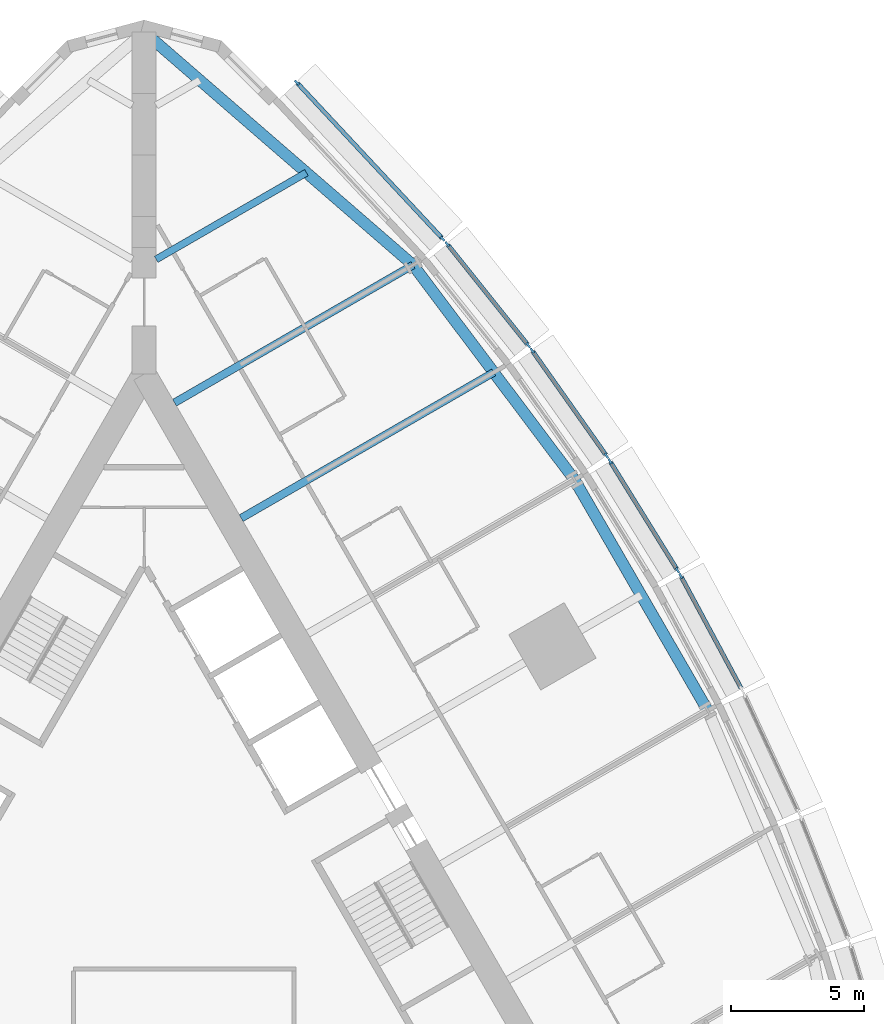
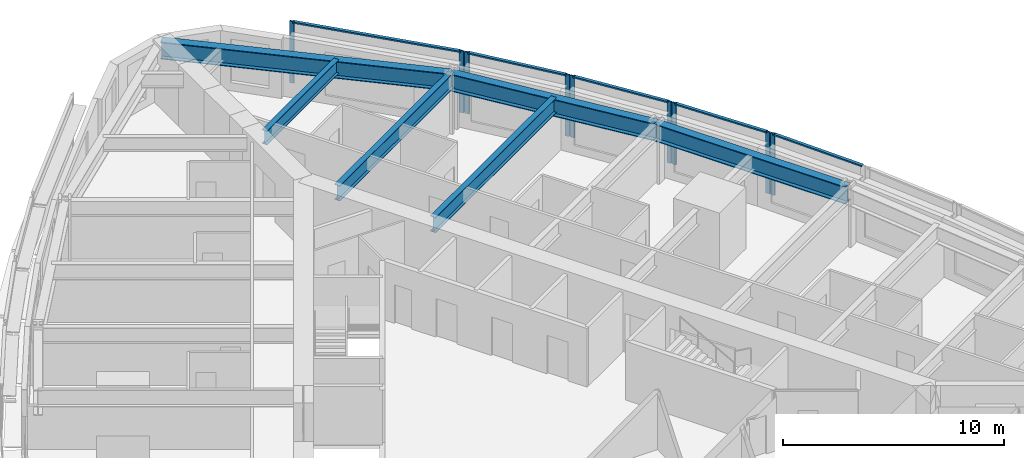
# One storey, part 5 of 14: 14 members, 6 beams, 5 elements without a shape of their own.
"""IFC4 building model written with IfcOpenShell, lengths in metres."""

from ifc_helpers import new_model, si_unit, direction, frame, origin, origin_2d, place, context, subcontext, project, spatial, rectangle, i_section, extrude, material, material_profile, profile_set, type_object, element, aggregate, save


model = new_model("IFC4")

# Units and contexts
model_context = context("Model", 3, precision=1e-05, world=origin(), true_north=direction((0.0, 1.0)))
body_context = subcontext(model_context, "Body", "Model", "MODEL_VIEW")
ifc_project = project(units=[si_unit("LENGTHUNIT", "METRE"), si_unit("AREAUNIT", "SQUARE_METRE"), si_unit("VOLUMEUNIT", "CUBIC_METRE"), si_unit("PLANEANGLEUNIT", "RADIAN"), si_unit("MASSUNIT", "GRAM", prefix="KILO")], contexts=[model_context])

# Site, building, storey
site_placement = place(None, origin())
site = spatial("IfcSite", under=ifc_project, at=site_placement, CompositionType="ELEMENT")
building_placement = place(site_placement, origin())
building = spatial("IfcBuilding", under=site, at=building_placement, Name="Trikona Tower", CompositionType="ELEMENT")
storey_placement = place(building_placement, frame((0.0, 0.0, 38.699951171875)))
storey = spatial("IfcBuildingStorey", under=building, at=storey_placement, Name="L08", CompositionType="ELEMENT", Elevation=38.699951171875)

# Curtain wall, member
ifc_material_1 = material(Name="Aluminium curtain wall system", Category="aluminium")
curtain_wall_type = type_object("IfcCurtainWallType", Name="Curtain wall DS1", PredefinedType="NOTDEFINED", material=ifc_material_1)
curtain_wall_1_placement = place(storey_placement, origin())
curtain_wall_1 = element("IfcCurtainWall", 1, at=curtain_wall_1_placement, inside=storey, type_object=curtain_wall_type, Name="Curtain wall DS1 L08", PredefinedType="NOTDEFINED")
ifc_material_2 = material(Name="Aluminium mullion, pale anodised", Category="aluminium")
ifc_material_profile_1 = material_profile(ifc_material_2, rectangle(XDim=0.080078125, YDim=0.219970703125, at=origin_2d()), Name="MUL-DS1")
ifc_profile_set_1 = profile_set([ifc_material_profile_1], Name="Aluminium mullion, pale anodised")
member_type_1 = type_object("IfcMemberType", Name="Mullion DS1 80x220", PredefinedType="MULLION", material=ifc_profile_set_1)
member_1_placement = place(storey_placement, frame((20.128662109375, 11.474365234375, 0.0), z_axis=(0.0, 0.0, 1.0), x_axis=(-0.880843080975, -0.473408350896, 0.0)))
member_1 = element("IfcMember", 2, at=member_1_placement, type_object=member_type_1, Name="CW-DS1 mullion 2", PredefinedType="MULLION", context=body_context, shape_type="SweptSolid", body=[
    extrude(rectangle(XDim=0.080078125, YDim=0.219970703125, at=origin_2d()), origin(), (0.0, 0.0, 1.0), 3.400146484375),
])

# Curtain wall, members
curtain_wall_2_placement = place(storey_placement, origin())
curtain_wall_2 = element("IfcCurtainWall", 3, at=curtain_wall_2_placement, inside=storey, type_object=curtain_wall_type, Name="Curtain wall DS1 L08", PredefinedType="NOTDEFINED")
member_2_placement = place(storey_placement, frame((20.00146484375, 11.69482421875, 0.0), z_axis=(0.0, 0.0, 1.0), x_axis=(-0.850410468941, -0.526119790842, 0.0)))
member_2 = element("IfcMember", 4, at=member_2_placement, type_object=member_type_1, Name="CW-DS1 mullion 1", PredefinedType="MULLION", context=body_context, shape_type="SweptSolid", body=[
    extrude(rectangle(XDim=0.080078125, YDim=0.219970703125, at=origin_2d()), origin(), (0.0, 0.0, 1.0), 3.400146484375),
])
member_3_placement = place(storey_placement, frame((17.474853515625, 15.77880859375, 0.0), z_axis=(0.0, 0.0, 1.0), x_axis=(-0.850410468941, -0.526119790842, 0.0)))
member_3 = element("IfcMember", 5, at=member_3_placement, type_object=member_type_1, Name="CW-DS1 mullion 2", PredefinedType="MULLION", context=body_context, shape_type="SweptSolid", body=[
    extrude(rectangle(XDim=0.080078125, YDim=0.219970703125, at=origin_2d()), origin(), (0.0, 0.0, 1.0), 3.400146484375),
])

curtain_wall_3_placement = place(storey_placement, origin())
curtain_wall_3 = element("IfcCurtainWall", 6, at=curtain_wall_3_placement, inside=storey, type_object=curtain_wall_type, Name="Curtain wall DS1 L08", PredefinedType="NOTDEFINED")
member_4_placement = place(storey_placement, frame((17.33447265625, 15.990966796875, 0.0), z_axis=(0.0, 0.0, 1.0), x_axis=(-0.816985393055, -0.576658362928, 0.0)))
member_4 = element("IfcMember", 7, at=member_4_placement, type_object=member_type_1, Name="CW-DS1 mullion 1", PredefinedType="MULLION", context=body_context, shape_type="SweptSolid", body=[
    extrude(rectangle(XDim=0.080078125, YDim=0.219970703125, at=origin_2d()), origin(), (0.0, 0.0, 1.0), 3.400146484375),
])
member_5_placement = place(storey_placement, frame((14.554443359375, 19.929443359375, 0.0), z_axis=(0.0, 0.0, 1.0), x_axis=(-0.816985393055, -0.576658362928, 0.0)))
member_5 = element("IfcMember", 8, at=member_5_placement, type_object=member_type_1, Name="CW-DS1 mullion 2", PredefinedType="MULLION", context=body_context, shape_type="SweptSolid", body=[
    extrude(rectangle(XDim=0.080078125, YDim=0.219970703125, at=origin_2d()), origin(), (0.0, 0.0, 1.0), 3.400146484375),
])

curtain_wall_4_placement = place(storey_placement, origin())
curtain_wall_4 = element("IfcCurtainWall", 9, at=curtain_wall_4_placement, inside=storey, type_object=curtain_wall_type, Name="Curtain wall DS1 L08", PredefinedType="NOTDEFINED")
member_6_placement = place(storey_placement, frame((14.40185546875, 20.13232421875, 0.0), z_axis=(0.0, 0.0, 1.0), x_axis=(-0.780937959679, -0.624608599951, 0.0)))
member_6 = element("IfcMember", 10, at=member_6_placement, type_object=member_type_1, Name="CW-DS1 mullion 1", PredefinedType="MULLION", context=body_context, shape_type="SweptSolid", body=[
    extrude(rectangle(XDim=0.080078125, YDim=0.219970703125, at=origin_2d()), origin(), (0.0, 0.0, 1.0), 3.400146484375),
])
member_7_placement = place(storey_placement, frame((11.36767578125, 23.926025390625, 0.0), z_axis=(0.0, 0.0, 1.0), x_axis=(-0.780937959679, -0.624608599951, 0.0)))
member_7 = element("IfcMember", 11, at=member_7_placement, type_object=member_type_1, Name="CW-DS1 mullion 2", PredefinedType="MULLION", context=body_context, shape_type="SweptSolid", body=[
    extrude(rectangle(XDim=0.080078125, YDim=0.219970703125, at=origin_2d()), origin(), (0.0, 0.0, 1.0), 3.400146484375),
])

curtain_wall_5_placement = place(storey_placement, origin())
curtain_wall_5 = element("IfcCurtainWall", 12, at=curtain_wall_5_placement, inside=storey, type_object=curtain_wall_type, Name="Curtain wall DS1 L08", PredefinedType="NOTDEFINED")
member_8_placement = place(storey_placement, frame((11.192138671875, 24.129150390625, 0.0), z_axis=(0.0, 0.0, 1.0), x_axis=(-0.731076639405, -0.682295351967, 0.0)))
member_8 = element("IfcMember", 13, at=member_8_placement, type_object=member_type_1, Name="CW-DS1 mullion 1", PredefinedType="MULLION", context=body_context, shape_type="SweptSolid", body=[
    extrude(rectangle(XDim=0.080078125, YDim=0.219970703125, at=origin_2d()), origin(), (0.0, 0.0, 1.0), 3.400146484375),
])
member_9_placement = place(storey_placement, frame((5.72607421875, 29.98583984375, 0.0), z_axis=(0.0, 0.0, 1.0), x_axis=(-0.731076639405, -0.682295351967, 0.0)))
member_9 = element("IfcMember", 14, at=member_9_placement, type_object=member_type_1, Name="CW-DS1 mullion 2", PredefinedType="MULLION", context=body_context, shape_type="SweptSolid", body=[
    extrude(rectangle(XDim=0.080078125, YDim=0.219970703125, at=origin_2d()), origin(), (0.0, 0.0, 1.0), 3.400146484375),
])

# Beams
ifc_material_3 = material(Name="Steel ASTM A992 Grade 50", Category="steel")
ifc_material_profile_2 = material_profile(ifc_material_3, i_section(OverallWidth=0.2666015625, OverallDepth=0.76953125, WebThickness=0.015625, FlangeThickness=0.025390625, at=origin_2d()), Name="W30X132")
ifc_profile_set_2 = profile_set([ifc_material_profile_2], Name="Steel ASTM A992 Grade 50")
beam_type_1 = type_object("IfcBeamType", Name="Steel beam W30x132 (wedge)", PredefinedType="BEAM", material=ifc_profile_set_2)
beam_1_placement = place(storey_placement, frame((0.449951171875, 23.353759765625, 2.850341796875), z_axis=(0.866022504693, 0.50000502134, 0.0), x_axis=(-0.50000502134, 0.866022504693, 0.0)))
element("IfcBeam", 15, at=beam_1_placement, inside=storey, type_object=beam_type_1, Name="Floor beam L09 F2 u20", PredefinedType="BEAM", context=body_context, shape_type="SweptSolid", body=[
    extrude(i_section(OverallWidth=0.2666015625, OverallDepth=0.76953125, WebThickness=0.015625, FlangeThickness=0.025390625, at=origin_2d()), origin(), (0.0, 0.0, 1.0), 6.5068359375),
])
ifc_material_4 = material(Name="Steel ASTM A992 Grade 50", Category="steel")
ifc_material_profile_3 = material_profile(ifc_material_4, i_section(OverallWidth=0.2919921875, OverallDepth=0.845703125, WebThickness=0.015380859375, FlangeThickness=0.0244140625, at=origin_2d()), Name="W33X141")
ifc_profile_set_3 = profile_set([ifc_material_profile_3], Name="Steel ASTM A992 Grade 50")
beam_type_2 = type_object("IfcBeamType", Name="Steel beam W33x141 (radial typ)", PredefinedType="BEAM", material=ifc_profile_set_3)
beam_2_placement = place(storey_placement, frame((3.6396484375, 13.6484375, 2.812255859375), z_axis=(0.866025348605, 0.500000095573, 0.0), x_axis=(-0.500000095573, 0.866025348605, 0.0)))
element("IfcBeam", 16, at=beam_2_placement, inside=storey, type_object=beam_type_2, Name="Floor beam L09 F2 u10", PredefinedType="BEAM", context=body_context, shape_type="SweptSolid", body=[
    extrude(i_section(OverallWidth=0.2919921875, OverallDepth=0.845703125, WebThickness=0.015380859375, FlangeThickness=0.0244140625, at=origin_2d()), origin(), (0.0, 0.0, 1.0), 10.935546875),
])
beam_3_placement = place(storey_placement, frame((1.1396484375, 17.978515625, 2.812255859375), z_axis=(0.866030471684, 0.499991222037, 0.0), x_axis=(-0.499991222037, 0.866030471684, 0.0)))
element("IfcBeam", 17, at=beam_3_placement, inside=storey, type_object=beam_type_2, Name="Floor beam L09 F2 u15", PredefinedType="BEAM", context=body_context, shape_type="SweptSolid", body=[
    extrude(i_section(OverallWidth=0.2919921875, OverallDepth=0.845703125, WebThickness=0.015380859375, FlangeThickness=0.0244140625, at=origin_2d()), origin(), (0.0, 0.0, 1.0), 10.326904296875),
])
ifc_material_5 = material(Name="Steel ASTM A992 Grade 50", Category="steel")
ifc_material_profile_4 = material_profile(ifc_material_5, i_section(OverallWidth=0.424072265625, OverallDepth=0.947509765625, WebThickness=0.02392578125, FlangeThickness=0.042724609375, at=origin_2d()), Name="W36X302")
ifc_profile_set_4 = profile_set([ifc_material_profile_4], Name="Steel ASTM A992 Grade 50")
beam_type_3 = type_object("IfcBeamType", Name="Steel beam W36x302 (spandrel)", PredefinedType="SPANDREL", material=ifc_profile_set_4)
beam_4_placement = place(storey_placement, frame((21.13720703125, 6.43017578125, 2.76123046875), z_axis=(-0.500004234368, 0.866022959057, 0.0), x_axis=(-0.866022959057, -0.500004234368, 0.0)))
element("IfcBeam", 18, at=beam_4_placement, inside=storey, type_object=beam_type_3, Name="Spandrel beam L09 F2-3", PredefinedType="SPANDREL", context=body_context, shape_type="SweptSolid", body=[
    extrude(i_section(OverallWidth=0.424072265625, OverallDepth=0.947509765625, WebThickness=0.02392578125, FlangeThickness=0.042724609375, at=origin_2d()), origin(), (0.0, 0.0, 1.0), 10.0),
])
beam_5_placement = place(storey_placement, frame((16.13720703125, 15.09033203125, 2.76123046875), z_axis=(-0.600988344191, 0.799257787042, 0.0), x_axis=(-0.799257787042, -0.600988344191, 0.0)))
element("IfcBeam", 19, at=beam_5_placement, inside=storey, type_object=beam_type_3, Name="Spandrel beam L09 F2-4", PredefinedType="SPANDREL", context=body_context, shape_type="SweptSolid", body=[
    extrude(i_section(OverallWidth=0.424072265625, OverallDepth=0.947509765625, WebThickness=0.02392578125, FlangeThickness=0.042724609375, at=origin_2d()), origin(), (0.0, 0.0, 1.0), 10.07373046875),
])
beam_6_placement = place(storey_placement, frame((10.0830078125, 23.141845703125, 2.76123046875), z_axis=(-0.755646822726, 0.654979296851, 0.0), x_axis=(-0.654979296851, -0.755646822726, 0.0)))
element("IfcBeam", 20, at=beam_6_placement, inside=storey, type_object=beam_type_3, Name="Spandrel beam L09 F2-5", PredefinedType="SPANDREL", context=body_context, shape_type="SweptSolid", body=[
    extrude(i_section(OverallWidth=0.424072265625, OverallDepth=0.947509765625, WebThickness=0.02392578125, FlangeThickness=0.042724609375, at=origin_2d()), origin(), (0.0, 0.0, 1.0), 13.343505859375),
])

# Member
ifc_material_6 = material(Name="Aluminium transom, pale anodised", Category="aluminium")
ifc_material_profile_5 = material_profile(ifc_material_6, rectangle(XDim=0.159912109375, YDim=0.080078125, at=origin_2d()), Name="TRN-DS1")
ifc_profile_set_5 = profile_set([ifc_material_profile_5], Name="Aluminium transom, pale anodised")
member_type_2 = type_object("IfcMemberType", Name="Transom DS1 80x160", PredefinedType="USERDEFINED", material=ifc_profile_set_5)
member_10_placement = place(storey_placement, frame((22.38330078125, 7.279541015625, 3.360107421875), z_axis=(-0.473427569755, 0.880832751546, 0.0), x_axis=(-0.880832751546, -0.473427569755, 0.0)))
member_10 = element("IfcMember", 21, at=member_10_placement, type_object=member_type_2, Name="CW-DS1 transom 1.1", ObjectType="TRANSOM", PredefinedType="USERDEFINED", context=body_context, shape_type="SweptSolid", body=[
    extrude(rectangle(XDim=0.159912109375, YDim=0.080078125, at=origin_2d()), origin(), (0.0, 0.0, 1.0), 4.72216796875),
])

aggregate(curtain_wall_1, [member_1, member_10])

member_11_placement = place(storey_placement, frame((19.980224609375, 11.728759765625, 3.360107421875), z_axis=(-0.526080502257, 0.850434774186, 0.0), x_axis=(-0.850434774186, -0.526080502257, 0.0)))
member_11 = element("IfcMember", 22, at=member_11_placement, type_object=member_type_2, Name="CW-DS1 transom 1.1", ObjectType="TRANSOM", PredefinedType="USERDEFINED", context=body_context, shape_type="SweptSolid", body=[
    extrude(rectangle(XDim=0.159912109375, YDim=0.080078125, at=origin_2d()), origin(), (0.0, 0.0, 1.0), 4.722412109375),
])

aggregate(curtain_wall_2, [member_2, member_3, member_11])

member_12_placement = place(storey_placement, frame((17.311279296875, 16.023681640625, 3.360107421875), z_axis=(-0.57664478015, 0.816994980111, 0.0), x_axis=(-0.816994980111, -0.57664478015, 0.0)))
member_12 = element("IfcMember", 23, at=member_12_placement, type_object=member_type_2, Name="CW-DS1 transom 1.1", ObjectType="TRANSOM", PredefinedType="USERDEFINED", context=body_context, shape_type="SweptSolid", body=[
    extrude(rectangle(XDim=0.159912109375, YDim=0.080078125, at=origin_2d()), origin(), (0.0, 0.0, 1.0), 4.740478515625),
])

aggregate(curtain_wall_3, [member_4, member_5, member_12])

member_13_placement = place(storey_placement, frame((14.376953125, 20.16357421875, 3.360107421875), z_axis=(-0.624589103832, 0.780953552636, 0.0), x_axis=(-0.780953552636, -0.624589103832, 0.0)))
member_13 = element("IfcMember", 24, at=member_13_placement, type_object=member_type_2, Name="CW-DS1 transom 1.1", ObjectType="TRANSOM", PredefinedType="USERDEFINED", context=body_context, shape_type="SweptSolid", body=[
    extrude(rectangle(XDim=0.159912109375, YDim=0.080078125, at=origin_2d()), origin(), (0.0, 0.0, 1.0), 4.77783203125),
])

aggregate(curtain_wall_4, [member_6, member_7, member_13])

member_14_placement = place(storey_placement, frame((11.164794921875, 24.158203125, 3.360107421875), z_axis=(-0.682290830921, 0.731080858758, 0.0), x_axis=(-0.731080858758, -0.682290830921, 0.0)))
member_14 = element("IfcMember", 25, at=member_14_placement, type_object=member_type_2, Name="CW-DS1 transom 1.1", ObjectType="TRANSOM", PredefinedType="USERDEFINED", context=body_context, shape_type="SweptSolid", body=[
    extrude(rectangle(XDim=0.159912109375, YDim=0.080078125, at=origin_2d()), origin(), (0.0, 0.0, 1.0), 7.93115234375),
])

aggregate(curtain_wall_5, [member_8, member_9, member_14])

save(model, "model.ifc")
